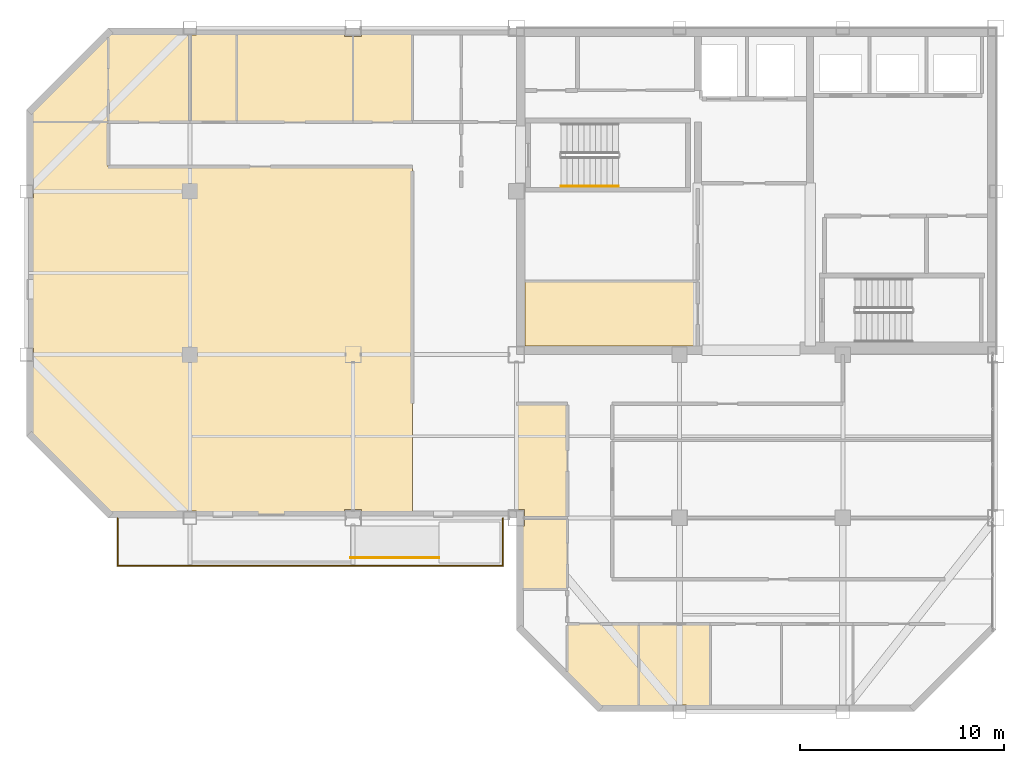
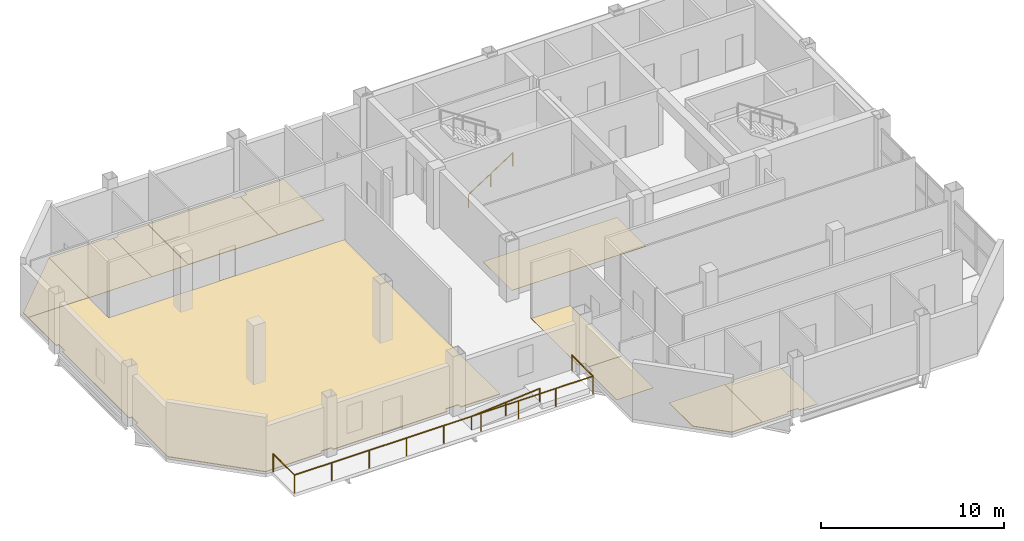
# One storey, part 11 of 13: 11 coverings, 3 railings.
"""IFC4 building model written with IfcOpenShell, lengths in metres."""

from ifc_helpers import new_model, si_unit, direction, frame, origin, origin_2d, place, context, subcontext, project, spatial, polyline, circle, outline, extrude, material, layer, layer_set, type_object, element, save


model = new_model("IFC4")

# Units and contexts
model_context = context("Model", 3, precision=1e-05, world=origin(), true_north=direction((0.0, 1.0)))
body_context = subcontext(model_context, "Body", "Model", "MODEL_VIEW")
ifc_project = project(units=[si_unit("LENGTHUNIT", "METRE"), si_unit("AREAUNIT", "SQUARE_METRE"), si_unit("VOLUMEUNIT", "CUBIC_METRE"), si_unit("PLANEANGLEUNIT", "RADIAN"), si_unit("MASSUNIT", "GRAM", prefix="KILO")], contexts=[model_context])

# Site, building, storey
site_placement = place(None, origin())
site = spatial("IfcSite", under=ifc_project, at=site_placement, CompositionType="ELEMENT")
building_placement = place(site_placement, origin())
building = spatial("IfcBuilding", under=site, at=building_placement, Name="Qianrong Seaharbour Tower", CompositionType="ELEMENT")
storey_placement = place(building_placement, frame((0.0, 0.0, 295.199951171875)))
storey = spatial("IfcBuildingStorey", under=building, at=storey_placement, Name="L71", CompositionType="ELEMENT", Elevation=295.199951171875)

# Coverings
ifc_material_1 = material(Name="Acoustic modular carpet tile flooring")
ifc_layer_1 = layer(ifc_material_1, 0.02001953125)
ifc_layer_set_1 = layer_set([ifc_layer_1], Name="Acoustic modular carpet tile flooring")
covering_type_1 = type_object("IfcCoveringType", Name="COV-FLOOR-CARPET-20", PredefinedType="FLOORING", material=ifc_layer_set_1)
covering_1_placement = place(storey_placement, origin())
element("IfcCovering", 1, at=covering_1_placement, inside=storey, type_object=covering_type_1, Name="L71 Wellness Room Finish Flooring", PredefinedType="FLOORING", context=body_context, shape_type="SweptSolid", body=[
    extrude(outline(polyline([(49.39990234375, 39.60009765625), (49.39990234375, 36.419921875), (40.919921875, 36.419921875), (40.919921875, 39.60009765625), (49.39990234375, 39.60009765625)])), origin(), (0.0, 0.0, 1.0), 0.02001953125),
])
covering_2_placement = place(storey_placement, origin())
element("IfcCovering", 2, at=covering_2_placement, inside=storey, type_object=covering_type_1, Name="L71 Focus Room 2 Finish Flooring", PredefinedType="FLOORING", context=body_context, shape_type="SweptSolid", body=[
    extrude(outline(polyline([(20.5, 51.7666015625), (20.568359375, 51.8349609375), (24.1650390625, 51.8349609375), (24.1650390625, 51.6650390625), (24.5, 51.6650390625), (24.5, 47.39990234375), (20.5, 47.39990234375), (20.5, 51.7666015625)])), origin(), (0.0, 0.0, 1.0), 0.02001953125),
])
covering_3_placement = place(storey_placement, origin())
element("IfcCovering", 3, at=covering_3_placement, inside=storey, type_object=covering_type_1, Name="L71 Meeting Room 3 Finish Flooring", PredefinedType="FLOORING", context=body_context, shape_type="SweptSolid", body=[
    extrude(outline(polyline([(24.5, 51.6650390625), (24.8349609375, 51.6650390625), (24.8349609375, 51.8349609375), (26.800048828125, 51.8349609375), (26.800048828125, 47.39990234375), (24.5, 47.39990234375), (24.5, 51.6650390625)])), origin(), (0.0, 0.0, 1.0), 0.02001953125),
])
covering_4_placement = place(storey_placement, origin())
element("IfcCovering", 4, at=covering_4_placement, inside=storey, type_object=covering_type_1, Name="L71 Wet Pantry 2 Finish Flooring", PredefinedType="FLOORING", context=body_context, shape_type="SweptSolid", body=[
    extrude(outline(polyline([(40.6650390625, 24.5), (40.6650390625, 27.590087890625), (40.909912109375, 27.590087890625), (40.909912109375, 28.0), (43.0, 28.0), (43.0, 24.5), (40.6650390625, 24.5)])), origin(), (0.0, 0.0, 1.0), 0.02001953125),
])
covering_5_placement = place(storey_placement, origin())
element("IfcCovering", 5, at=covering_5_placement, inside=storey, type_object=covering_type_1, Name="L71 Focus Room 3 Finish Flooring", PredefinedType="FLOORING", context=body_context, shape_type="SweptSolid", body=[
    extrude(outline(polyline([(43.0, 28.0), (40.909912109375, 28.0), (40.909912109375, 28.409912109375), (40.5, 28.409912109375), (40.5, 33.60009765625), (43.0, 33.60009765625), (43.0, 28.0)])), origin(), (0.0, 0.0, 1.0), 0.02001953125),
])
covering_6_placement = place(storey_placement, origin())
element("IfcCovering", 6, at=covering_6_placement, inside=storey, type_object=covering_type_1, Name="L71 Meeting Room 2 Finish Flooring", PredefinedType="FLOORING", context=body_context, shape_type="SweptSolid", body=[
    extrude(outline(polyline([(50.0, 18.6650390625), (48.8349609375, 18.6650390625), (48.8349609375, 18.8349609375), (48.1650390625, 18.8349609375), (48.1650390625, 18.6650390625), (46.5, 18.6650390625), (46.5, 22.800048828125), (50.0, 22.800048828125), (50.0, 18.6650390625)])), origin(), (0.0, 0.0, 1.0), 0.02001953125),
])
ifc_material_2 = material(Name="Calcium-sulphate raised access floor tile")
ifc_layer_2 = layer(ifc_material_2, 0.044921875)
ifc_layer_set_2 = layer_set([ifc_layer_2], Name="Calcium-sulphate raised access floor tile")
covering_type_2 = type_object("IfcCoveringType", Name="COV-FLOOR-RAISED-45", PredefinedType="FLOORING", material=ifc_layer_set_2)
covering_7_placement = place(storey_placement, origin())
element("IfcCovering", 7, at=covering_7_placement, inside=storey, type_object=covering_type_2, Name="L71 Open-Plan Office Finish Flooring", PredefinedType="FLOORING", context=body_context, shape_type="SweptSolid", body=[
    extrude(outline(polyline([(32.909912109375, 28.1650390625), (32.909912109375, 28.409912109375), (32.090087890625, 28.409912109375), (32.090087890625, 28.1650390625), (24.8349609375, 28.1650390625), (24.8349609375, 28.3349609375), (24.1650390625, 28.3349609375), (24.1650390625, 28.1650390625), (20.568359375, 28.1650390625), (16.6650390625, 32.068359375), (16.6650390625, 35.6650390625), (16.8349609375, 35.6650390625), (16.8349609375, 36.3349609375), (16.6650390625, 36.3349609375), (16.6650390625, 43.6650390625), (16.8349609375, 43.6650390625), (16.8349609375, 44.3349609375), (16.6650390625, 44.3349609375), (16.6650390625, 47.39990234375), (20.5, 47.39990234375), (20.5, 45.199951171875), (35.39990234375, 45.199951171875), (35.39990234375, 28.1650390625), (32.909912109375, 28.1650390625)])), origin(), (0.0, 0.0, 1.0), 0.045166015625),
])
covering_8_placement = place(storey_placement, origin())
element("IfcCovering", 8, at=covering_8_placement, inside=storey, type_object=covering_type_2, Name="L71 Executive Office 1 Finish Flooring", PredefinedType="FLOORING", context=body_context, shape_type="SweptSolid", body=[
    extrude(outline(polyline([(16.6650390625, 47.931640625), (20.5, 51.7666015625), (20.5, 47.39990234375), (16.6650390625, 47.39990234375), (16.6650390625, 47.931640625)])), origin(), (0.0, 0.0, 1.0), 0.045166015625),
])
covering_9_placement = place(storey_placement, origin())
element("IfcCovering", 9, at=covering_9_placement, inside=storey, type_object=covering_type_2, Name="L71 Executive Office 4 Finish Flooring", PredefinedType="FLOORING", context=body_context, shape_type="SweptSolid", body=[
    extrude(outline(polyline([(26.800048828125, 51.8349609375), (32.090087890625, 51.8349609375), (32.090087890625, 51.590087890625), (32.5, 51.590087890625), (32.5, 47.39990234375), (26.800048828125, 47.39990234375), (26.800048828125, 51.8349609375)])), origin(), (0.0, 0.0, 1.0), 0.045166015625),
])
covering_10_placement = place(storey_placement, origin())
element("IfcCovering", 10, at=covering_10_placement, inside=storey, type_object=covering_type_2, Name="L71 Executive Office 5 Finish Flooring", PredefinedType="FLOORING", context=body_context, shape_type="SweptSolid", body=[
    extrude(outline(polyline([(32.5, 51.590087890625), (32.909912109375, 51.590087890625), (32.909912109375, 51.8349609375), (35.39990234375, 51.8349609375), (35.39990234375, 47.39990234375), (32.5, 47.39990234375), (32.5, 51.590087890625)])), origin(), (0.0, 0.0, 1.0), 0.045166015625),
])
covering_11_placement = place(storey_placement, origin())
element("IfcCovering", 11, at=covering_11_placement, inside=storey, type_object=covering_type_2, Name="L71 Executive Office 1 Finish Flooring", PredefinedType="FLOORING", context=body_context, shape_type="SweptSolid", body=[
    extrude(outline(polyline([(46.5, 18.6650390625), (44.568359375, 18.6650390625), (43.0, 20.2333984375), (43.0, 22.800048828125), (46.5, 22.800048828125), (46.5, 18.6650390625)])), origin(), (0.0, 0.0, 1.0), 0.045166015625),
])

# Railings
ifc_material_3 = material(Name="Stainless steel SUS316L tubular handrail", Category="steel")
railing_type_1 = type_object("IfcRailingType", Name="RAIL-RAMP-HANDRAIL-900", PredefinedType="HANDRAIL", material=ifc_material_3)
railing_1_placement = place(storey_placement, frame((32.3798828125, 26.050048828125, 0.0)))
element("IfcRailing", 12, at=railing_1_placement, inside=storey, type_object=railing_type_1, Name="L71 Harbourfront Ribbon Ramp Handrail", PredefinedType="HANDRAIL", context=body_context, shape_type="SweptSolid", body=[
    extrude(circle(Radius=0.02392578125, at=origin_2d()), frame((0.0, 0.0, 0.8759765625), z_axis=(0.996543815979, 0.0, 0.083068783756), x_axis=(0.0, 1.0, 0.0)), (0.0, 0.0, 1.0), 4.3349609375),
    extrude(circle(Radius=0.02099609375, at=origin_2d()), origin(), (0.0, 0.0, 1.0), 0.851806640625),
    extrude(circle(Radius=0.02099609375, at=origin_2d()), frame((2.16015625, 0.0, 0.18017578125)), (0.0, 0.0, 1.0), 0.851806640625),
    extrude(circle(Radius=0.02099609375, at=origin_2d()), frame((4.320068359375, 0.0, 0.360107421875)), (0.0, 0.0, 1.0), 0.851806640625),
])
ifc_material_4 = material(Name="Stainless steel SUS316L continuous handrail", Category="steel")
railing_type_2 = type_object("IfcRailingType", Name="RAIL-STAIR-HANDRAIL-900", PredefinedType="HANDRAIL", material=ifc_material_4)
railing_2_placement = place(storey_placement, frame((42.699951171875, 44.25, 0.181884765625)))
element("IfcRailing", 13, at=railing_2_placement, inside=storey, type_object=railing_type_2, Name="L71 ST-1 stair handrail 1", PredefinedType="HANDRAIL", context=body_context, shape_type="SweptSolid", body=[
    extrude(circle(Radius=0.02392578125, at=origin_2d()), frame((0.0, 0.0, 0.8759765625), z_axis=(0.838705829183, 0.0, 0.544584733623), x_axis=(0.0, 1.0, 0.0)), (0.0, 0.0, 1.0), 3.338623046875),
    extrude(circle(Radius=0.02099609375, at=origin_2d()), origin(), (0.0, 0.0, 1.0), 0.851806640625),
    extrude(circle(Radius=0.02099609375, at=origin_2d()), frame((1.39990234375, 0.0, 0.9091796875)), (0.0, 0.0, 1.0), 0.851806640625),
    extrude(circle(Radius=0.02099609375, at=origin_2d()), frame((2.800048828125, 0.0, 1.818115234375)), (0.0, 0.0, 1.0), 0.851806640625),
])
ifc_material_5 = material(Name="Stainless steel SUS316L and laminated safety glass balustrade", Category="steel")
railing_type_3 = type_object("IfcRailingType", Name="RAIL-TERRACE-GUARD-1220", PredefinedType="GUARDRAIL", material=ifc_material_5)
railing_3_placement = place(storey_placement, frame((20.9599609375, 27.97998046875, 0.0)))
element("IfcRailing", 14, at=railing_3_placement, inside=storey, type_object=railing_type_3, Name="L71 Harbourfront Ribbon Gallery Guardrail", PredefinedType="GUARDRAIL", context=body_context, shape_type="SweptSolid", body=[
    extrude(circle(Radius=0.02392578125, at=origin_2d()), frame((0.0, 0.0, 1.19580078125), z_axis=(0.0, -1.0, 0.0), x_axis=(1.0, 0.0, 0.0)), (0.0, 0.0, 1.0), 2.320068359375),
    extrude(circle(Radius=0.02392578125, at=origin_2d()), frame((0.0, -2.320068359375, 1.19580078125), z_axis=(1.0, 0.0, 0.0), x_axis=(0.0, 1.0, 0.0)), (0.0, 0.0, 1.0), 18.880126953125),
    extrude(circle(Radius=0.02392578125, at=origin_2d()), frame((18.880126953125, -2.320068359375, 1.19580078125), z_axis=(0.0, 1.0, 0.0), x_axis=(-1.0, 0.0, 0.0)), (0.0, 0.0, 1.0), 2.320068359375),
    extrude(circle(Radius=0.02099609375, at=origin_2d()), origin(), (0.0, 0.0, 1.0), 1.171875),
    extrude(circle(Radius=0.02099609375, at=origin_2d()), frame((0.0, -2.320068359375, 0.0)), (0.0, 0.0, 1.0), 1.171875),
    extrude(circle(Radius=0.02099609375, at=origin_2d()), frame((2.360107421875, -2.320068359375, 0.0)), (0.0, 0.0, 1.0), 1.171875),
    extrude(circle(Radius=0.02099609375, at=origin_2d()), frame((4.719970703125, -2.320068359375, 0.0)), (0.0, 0.0, 1.0), 1.171875),
    extrude(circle(Radius=0.02099609375, at=origin_2d()), frame((7.080078125, -2.320068359375, 0.0)), (0.0, 0.0, 1.0), 1.171875),
    extrude(circle(Radius=0.02099609375, at=origin_2d()), frame((9.43994140625, -2.320068359375, 0.0)), (0.0, 0.0, 1.0), 1.171875),
    extrude(circle(Radius=0.02099609375, at=origin_2d()), frame((11.800048828125, -2.320068359375, 0.0)), (0.0, 0.0, 1.0), 1.171875),
    extrude(circle(Radius=0.02099609375, at=origin_2d()), frame((14.16015625, -2.320068359375, 0.0)), (0.0, 0.0, 1.0), 1.171875),
    extrude(circle(Radius=0.02099609375, at=origin_2d()), frame((16.52001953125, -2.320068359375, 0.0)), (0.0, 0.0, 1.0), 1.171875),
    extrude(circle(Radius=0.02099609375, at=origin_2d()), frame((18.880126953125, -2.320068359375, 0.0)), (0.0, 0.0, 1.0), 1.171875),
    extrude(circle(Radius=0.02099609375, at=origin_2d()), frame((18.880126953125, 0.0, 0.0)), (0.0, 0.0, 1.0), 1.171875),
])

save(model, "model.ifc")
